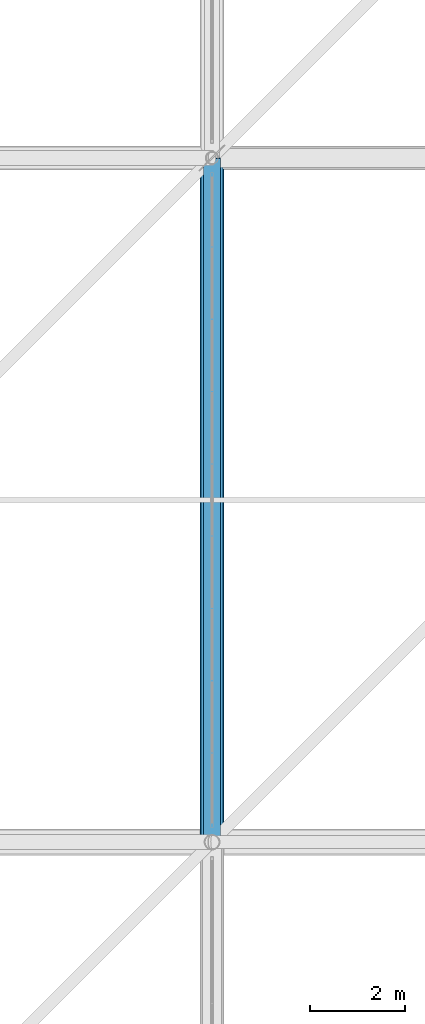
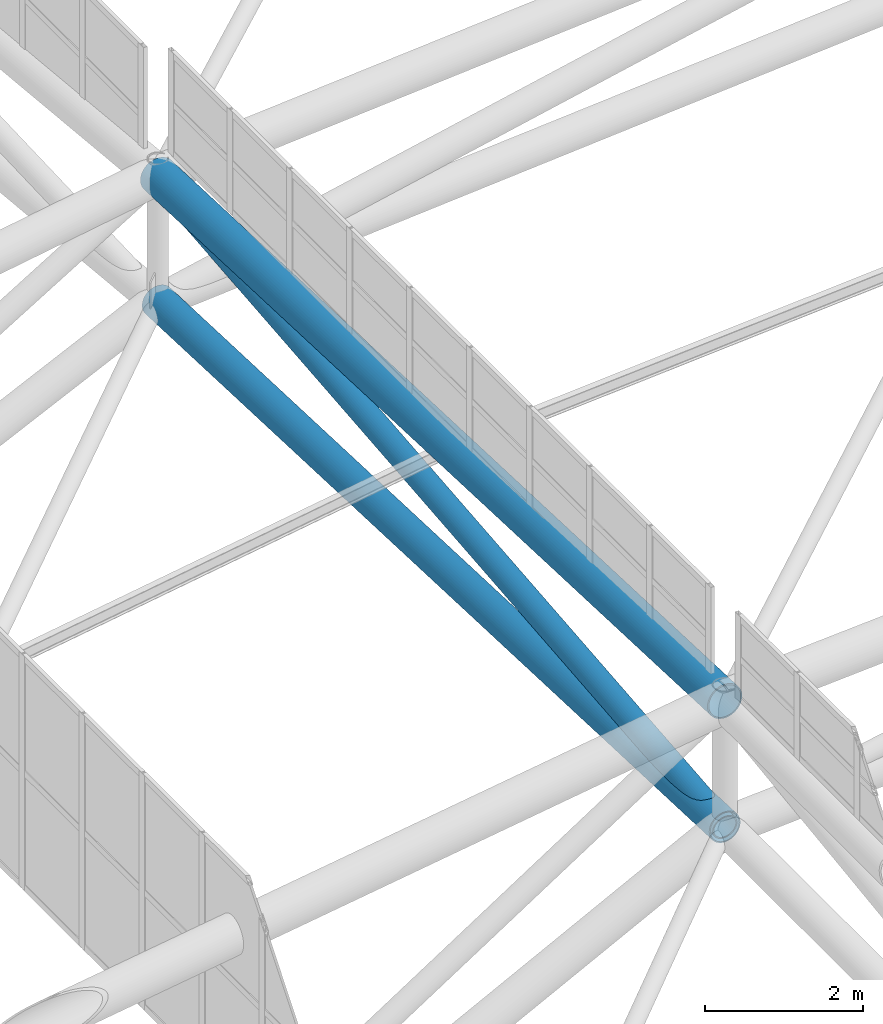
# One storey, part 188 of 397: 2 beams, 1 member.
"""IFC4 building model written with IfcOpenShell, lengths in metres."""

from ifc_helpers import new_model, si_unit, direction, frame, origin, origin_2d, place, context, subcontext, project, spatial, hollow_circle, extrude, material, material_profile, profile_set, type_object, element, save


model = new_model("IFC4")

# Units and contexts
model_context = context("Model", 3, precision=1e-05, world=origin(), true_north=direction((0.0, 1.0)))
body_context = subcontext(model_context, "Body", "Model", "MODEL_VIEW")
ifc_project = project(units=[si_unit("LENGTHUNIT", "METRE"), si_unit("AREAUNIT", "SQUARE_METRE"), si_unit("VOLUMEUNIT", "CUBIC_METRE"), si_unit("PLANEANGLEUNIT", "RADIAN"), si_unit("MASSUNIT", "GRAM", prefix="KILO")], contexts=[model_context])

# Site, building, storey
site_placement = place(None, origin())
site = spatial("IfcSite", under=ifc_project, at=site_placement, CompositionType="ELEMENT")
building_placement = place(site_placement, origin())
building = spatial("IfcBuilding", under=site, at=building_placement, Name="Qandorah Velis Arena", CompositionType="ELEMENT")
storey_placement = place(building_placement, frame((0.0, 0.0, 27.5)))
storey = spatial("IfcBuildingStorey", under=building, at=storey_placement, Name="RF", CompositionType="ELEMENT", Elevation=27.5)

# Beams
ifc_material = material(Name="Steel S355", Category="steel")
ifc_material_profile_1 = material_profile(ifc_material, hollow_circle(Radius=0.228515625, WallThickness=0.01611328125, at=origin_2d()), Name="CHS 457x16")
ifc_profile_set_1 = profile_set([ifc_material_profile_1], Name="Steel S355")
beam_type_1 = type_object("IfcBeamType", Name="STR-SFC-CHS457X16", PredefinedType="USERDEFINED", material=ifc_profile_set_1)
beam_1_placement = place(storey_placement, frame((28.800048828125, 72.0, 7.483154296875), z_axis=(0.0, 0.999202500511, -0.039929474987), x_axis=(-1.0, 0.0, 0.0)))
element("IfcBeam", 1, at=beam_1_placement, inside=storey, type_object=beam_type_1, Name="Space frame roof truss bottom chord Y 1.4", ObjectType="ROOF TRUSS", PredefinedType="USERDEFINED", context=body_context, shape_type="SweptSolid", body=[
    extrude(hollow_circle(Radius=0.228515625, WallThickness=0.01611328125, at=origin_2d()), origin(), (0.0, 0.0, 1.0), 14.411376953125),
])
ifc_material_profile_2 = material_profile(ifc_material, hollow_circle(Radius=0.25390625, WallThickness=0.02001953125, at=origin_2d()), Name="CHS 508x20")
ifc_profile_set_2 = profile_set([ifc_material_profile_2], Name="Steel S355")
beam_type_2 = type_object("IfcBeamType", Name="STR-SFC-CHS508X20", PredefinedType="USERDEFINED", material=ifc_profile_set_2)
beam_2_placement = place(storey_placement, frame((28.800048828125, 72.0, 9.43310546875), z_axis=(0.0, 0.999202500511, -0.039929474987), x_axis=(-1.0, 0.0, 0.0)))
element("IfcBeam", 2, at=beam_2_placement, inside=storey, type_object=beam_type_2, Name="Space frame roof truss top chord Y 1.4", ObjectType="ROOF TRUSS", PredefinedType="USERDEFINED", context=body_context, shape_type="SweptSolid", body=[
    extrude(hollow_circle(Radius=0.25390625, WallThickness=0.02001953125, at=origin_2d()), origin(), (0.0, 0.0, 1.0), 14.411376953125),
])

# Member
ifc_material_profile_3 = material_profile(ifc_material, hollow_circle(Radius=0.177734375, WallThickness=0.01611328125, at=origin_2d()), Name="CHS 355.6x16")
ifc_profile_set_3 = profile_set([ifc_material_profile_3], Name="Steel S355")
member_type = type_object("IfcMemberType", Name="STR-SFD-CHS355X16", PredefinedType="STRUT", material=ifc_profile_set_3)
member_placement = place(storey_placement, frame((28.800048828125, 72.0, 7.483154296875), z_axis=(0.0, 0.995475272771, 0.095020951912), x_axis=(-1.0, 0.0, 0.0)))
element("IfcMember", 3, at=member_placement, inside=storey, type_object=member_type, Name="Space frame roof diagonal Y 1.4", PredefinedType="STRUT", context=body_context, shape_type="SweptSolid", body=[
    extrude(hollow_circle(Radius=0.177734375, WallThickness=0.01611328125, at=origin_2d()), origin(), (0.0, 0.0, 1.0), 14.46533203125),
])

save(model, "model.ifc")
